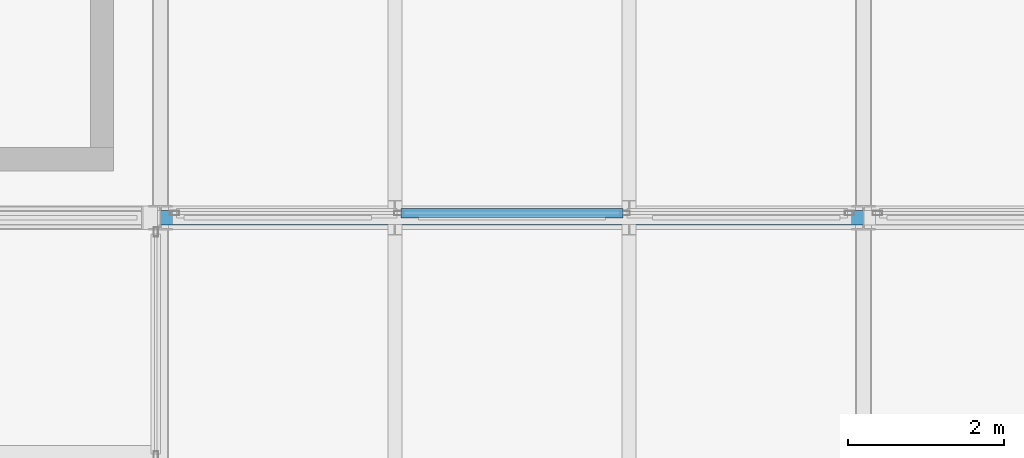
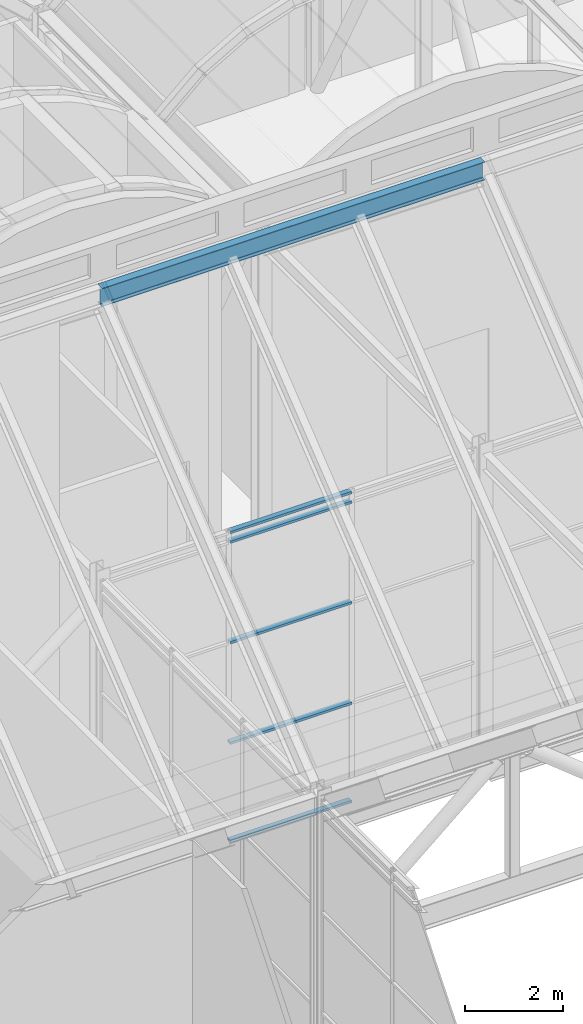
# One storey, part 42 of 144: 5 members, 1 beam, 1 element without a shape of its own.
"""IFC4 building model written with IfcOpenShell, lengths in metres."""

from ifc_helpers import new_model, si_unit, direction, frame, origin, origin_2d, place, context, subcontext, project, spatial, hollow_rectangle, i_section, extrude, material, layer, layer_set, material_profile, profile_set, type_object, element, aggregate, save


model = new_model("IFC4")

# Units and contexts
model_context = context("Model", 3, precision=1e-05, world=origin(), true_north=direction((0.0, 1.0)))
body_context = subcontext(model_context, "Body", "Model", "MODEL_VIEW")
ifc_project = project(units=[si_unit("LENGTHUNIT", "METRE"), si_unit("AREAUNIT", "SQUARE_METRE"), si_unit("VOLUMEUNIT", "CUBIC_METRE"), si_unit("PLANEANGLEUNIT", "RADIAN"), si_unit("MASSUNIT", "GRAM", prefix="KILO")], contexts=[model_context])

# Site, building, storey
site_placement = place(None, origin())
site = spatial("IfcSite", under=ifc_project, at=site_placement, CompositionType="ELEMENT")
building_placement = place(site_placement, origin())
building = spatial("IfcBuilding", under=site, at=building_placement, Name="Shorebreak Coast Museum", CompositionType="ELEMENT")
storey_placement = place(building_placement, frame((0.0, 0.0, 36.0)))
storey = spatial("IfcBuildingStorey", under=building, at=storey_placement, Name="L06", CompositionType="ELEMENT", Elevation=36.0)

# Beam
ifc_material_1 = material(Name="Steel Grade 300", Category="steel")
ifc_material_profile_1 = material_profile(ifc_material_1, i_section(OverallWidth=0.18994140625, OverallDepth=0.453857421875, WebThickness=0.008544921875, FlangeThickness=0.0126953125, FilletRadius=0.011474609375, at=origin_2d()), Name="460UB67.1")
ifc_profile_set_1 = profile_set([ifc_material_profile_1], Name="Steel Grade 300")
beam_type = type_object("IfcBeamType", Name="Fold ridge beam 460UB67.1", PredefinedType="BEAM", material=ifc_profile_set_1)
beam_placement = place(storey_placement, frame((63.0, 81.0, 14.717041015625), z_axis=(1.0, 0.0, 0.0), x_axis=(0.0, 1.0, 0.0)))
element("IfcBeam", 1, at=beam_placement, inside=storey, type_object=beam_type, Name="Fold ridge beam FOLD-X line K bay 8K", PredefinedType="BEAM", context=body_context, shape_type="SweptSolid", body=[
    extrude(i_section(OverallWidth=0.18994140625, OverallDepth=0.453857421875, WebThickness=0.008544921875, FlangeThickness=0.0126953125, FilletRadius=0.011474609375, at=origin_2d()), origin(), (0.0, 0.0, 1.0), 9.0),
])

# Curtain wall, members
ifc_material_2 = material(Name="Aluminium", Category="aluminium")
ifc_layer = layer(ifc_material_2, 0.1201171875)
ifc_layer_set = layer_set([ifc_layer], Name="Aluminium")
curtain_wall_type = type_object("IfcCurtainWallType", Name="Atrium fire screen", PredefinedType="NOTDEFINED", material=ifc_layer_set)
curtain_wall_placement = place(storey_placement, origin())
curtain_wall = element("IfcCurtainWall", 2, at=curtain_wall_placement, inside=storey, type_object=curtain_wall_type, Name="Atrium screen L06 N 84", PredefinedType="NOTDEFINED")
ifc_material_3 = material(Name="Aluminium", Category="aluminium")
ifc_material_profile_2 = material_profile(ifc_material_3, hollow_rectangle(XDim=0.1201171875, YDim=0.06005859375, WallThickness=0.00341796875, at=origin_2d()), Name="AL 60x120 RHS")
ifc_profile_set_2 = profile_set([ifc_material_profile_2], Name="Aluminium")
member_type = type_object("IfcMemberType", Name="Screen transom 120 x 50", PredefinedType="USERDEFINED", material=ifc_profile_set_2)
member_1_placement = place(storey_placement, frame((66.076171875, 81.06005859375, 0.06005859375), z_axis=(1.0, 0.0, 0.0), x_axis=(0.0, 1.0, 0.0)))
member_1 = element("IfcMember", 3, at=member_1_placement, type_object=member_type, Name="CW4 transom 2.1", ObjectType="TRANSOM", PredefinedType="USERDEFINED", context=body_context, shape_type="SweptSolid", body=[
    extrude(hollow_rectangle(XDim=0.1201171875, YDim=0.06005859375, WallThickness=0.00341796875, at=origin_2d()), origin(), (0.0, 0.0, 1.0), 2.84765625),
])
member_2_placement = place(storey_placement, frame((66.076171875, 81.06005859375, 2.5), z_axis=(1.0, 0.0, 0.0), x_axis=(0.0, 1.0, 0.0)))
member_2 = element("IfcMember", 4, at=member_2_placement, type_object=member_type, Name="CW4 transom 2.2", ObjectType="TRANSOM", PredefinedType="USERDEFINED", context=body_context, shape_type="SweptSolid", body=[
    extrude(hollow_rectangle(XDim=0.1201171875, YDim=0.06005859375, WallThickness=0.00341796875, at=origin_2d()), origin(), (0.0, 0.0, 1.0), 2.84765625),
])
member_3_placement = place(storey_placement, frame((66.076171875, 81.06005859375, 5.0), z_axis=(1.0, 0.0, 0.0), x_axis=(0.0, 1.0, 0.0)))
member_3 = element("IfcMember", 5, at=member_3_placement, type_object=member_type, Name="CW4 transom 2.3", ObjectType="TRANSOM", PredefinedType="USERDEFINED", context=body_context, shape_type="SweptSolid", body=[
    extrude(hollow_rectangle(XDim=0.1201171875, YDim=0.06005859375, WallThickness=0.00341796875, at=origin_2d()), origin(), (0.0, 0.0, 1.0), 2.84765625),
])
member_4_placement = place(storey_placement, frame((66.076171875, 81.06005859375, 7.5), z_axis=(1.0, 0.0, 0.0), x_axis=(0.0, 1.0, 0.0)))
member_4 = element("IfcMember", 6, at=member_4_placement, type_object=member_type, Name="CW4 transom 2.4", ObjectType="TRANSOM", PredefinedType="USERDEFINED", context=body_context, shape_type="SweptSolid", body=[
    extrude(hollow_rectangle(XDim=0.1201171875, YDim=0.06005859375, WallThickness=0.00341796875, at=origin_2d()), origin(), (0.0, 0.0, 1.0), 2.84765625),
])
member_5_placement = place(storey_placement, frame((66.076171875, 81.06005859375, 7.739990234375), z_axis=(1.0, 0.0, 0.0), x_axis=(0.0, 1.0, 0.0)))
member_5 = element("IfcMember", 7, at=member_5_placement, type_object=member_type, Name="CW4 transom 2.5", ObjectType="TRANSOM", PredefinedType="USERDEFINED", context=body_context, shape_type="SweptSolid", body=[
    extrude(hollow_rectangle(XDim=0.1201171875, YDim=0.06005859375, WallThickness=0.00341796875, at=origin_2d()), origin(), (0.0, 0.0, 1.0), 2.84765625),
])
aggregate(curtain_wall, [member_1, member_2, member_3, member_4, member_5])

save(model, "model.ifc")
